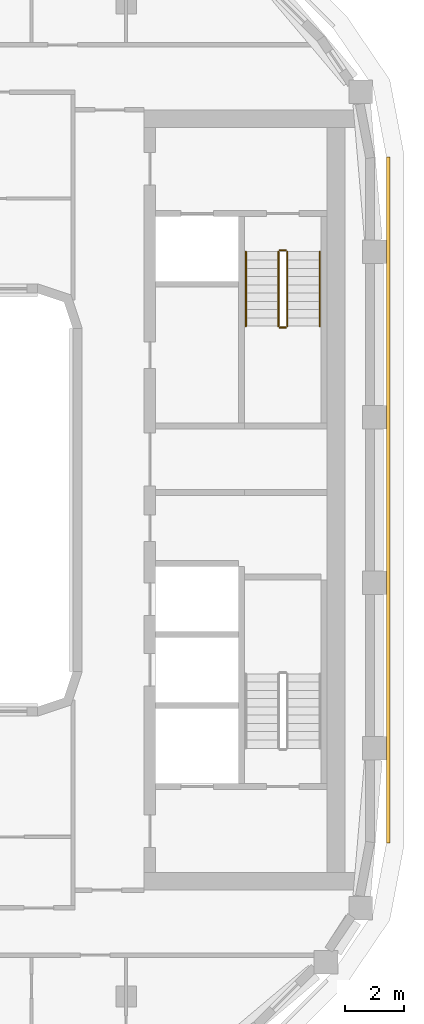
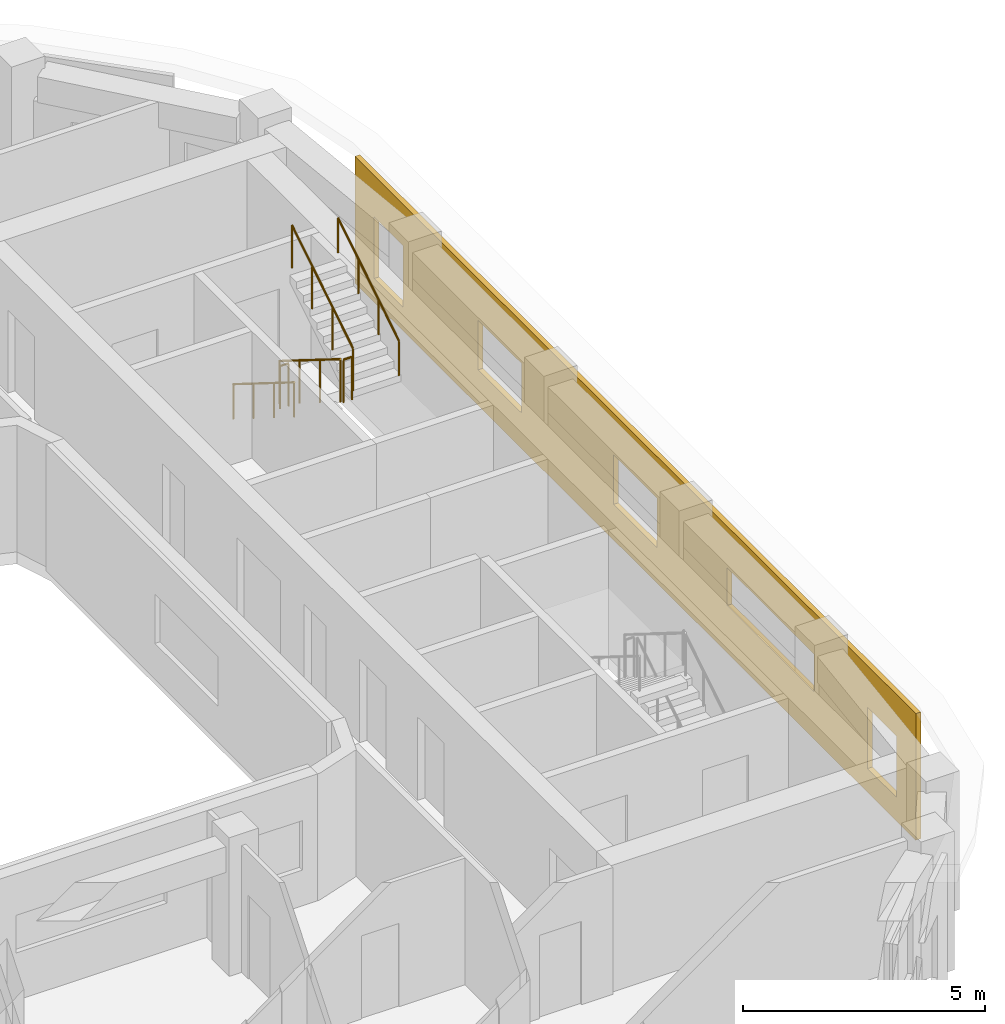
# One storey, part 15 of 16: 6 railings, 1 covering.
"""IFC4 building model written with IfcOpenShell, lengths in metres."""

from ifc_helpers import new_model, si_unit, direction, frame, origin, origin_2d, place, context, subcontext, project, spatial, polyline, circle, outline, extrude, material, layer, layer_set, type_object, element, save


model = new_model("IFC4")

# Units and contexts
model_context = context("Model", 3, precision=1e-05, world=origin(), true_north=direction((0.0, 1.0)))
body_context = subcontext(model_context, "Body", "Model", "MODEL_VIEW")
ifc_project = project(units=[si_unit("LENGTHUNIT", "METRE"), si_unit("AREAUNIT", "SQUARE_METRE"), si_unit("VOLUMEUNIT", "CUBIC_METRE"), si_unit("PLANEANGLEUNIT", "RADIAN"), si_unit("MASSUNIT", "GRAM", prefix="KILO")], contexts=[model_context])

# Site, building, storey
site_placement = place(None, origin())
site = spatial("IfcSite", under=ifc_project, at=site_placement, CompositionType="ELEMENT")
building_placement = place(site_placement, origin())
building = spatial("IfcBuilding", under=site, at=building_placement, Name="Kiln Ring Residences", CompositionType="ELEMENT")
storey_placement = place(building_placement, frame((0.0, 0.0, 259.199951171875)))
storey = spatial("IfcBuildingStorey", under=building, at=storey_placement, Name="L67", CompositionType="ELEMENT", Elevation=259.199951171875)

# Railings
ifc_material_1 = material(Name="Stainless steel", Category="steel")
railing_type_1 = type_object("IfcRailingType", Name="CORE-STAIR-GUARD", PredefinedType="GUARDRAIL", material=ifc_material_1)
railing_1_placement = place(storey_placement, frame((21.949951171875, 8.39990234375, 0.175048828125)))
element("IfcRailing", 1, at=railing_1_placement, inside=storey, type_object=railing_type_1, Name="L67 E-STN stair guard 1", PredefinedType="GUARDRAIL", context=body_context, shape_type="SweptSolid", body=[
    extrude(circle(Radius=0.02392578125, at=origin_2d()), frame((0.0, 0.0, 1.076171875), z_axis=(0.0, -0.848007534815, 0.529984170421), x_axis=(1.0, 0.0, 0.0)), (0.0, 0.0, 1.0), 2.9716796875),
    extrude(circle(Radius=0.02099609375, at=origin_2d()), origin(), (0.0, 0.0, 1.0), 1.052001953125),
    extrude(circle(Radius=0.02099609375, at=origin_2d()), frame((0.0, -0.840087890625, 0.52490234375)), (0.0, 0.0, 1.0), 1.052001953125),
    extrude(circle(Radius=0.02099609375, at=origin_2d()), frame((0.0, -1.679931640625, 1.050048828125)), (0.0, 0.0, 1.0), 1.052001953125),
    extrude(circle(Radius=0.02099609375, at=origin_2d()), frame((0.0, -2.52001953125, 1.574951171875)), (0.0, 0.0, 1.0), 1.052001953125),
])
railing_2_placement = place(storey_placement, frame((22.0, 5.830078125, 1.75)))
element("IfcRailing", 2, at=railing_2_placement, inside=storey, type_object=railing_type_1, Name="L67 E-STN stair guard 2", PredefinedType="GUARDRAIL", context=body_context, shape_type="SweptSolid", body=[
    extrude(circle(Radius=0.02392578125, at=origin_2d()), frame((0.0, 0.0, 1.076171875), z_axis=(1.0, 0.0, 0.0), x_axis=(0.0, 1.0, 0.0)), (0.0, 0.0, 1.0), 0.199951171875),
    extrude(circle(Radius=0.02099609375, at=origin_2d()), origin(), (0.0, 0.0, 1.0), 1.052001953125),
    extrude(circle(Radius=0.02099609375, at=origin_2d()), frame((0.199951171875, 0.0, 0.0)), (0.0, 0.0, 1.0), 1.052001953125),
])
railing_3_placement = place(storey_placement, frame((22.25, 5.8798828125, 1.925048828125)))
element("IfcRailing", 3, at=railing_3_placement, inside=storey, type_object=railing_type_1, Name="L67 E-STN stair guard 3", PredefinedType="GUARDRAIL", context=body_context, shape_type="SweptSolid", body=[
    extrude(circle(Radius=0.02392578125, at=origin_2d()), frame((0.0, 0.0, 1.076171875), z_axis=(0.0, 0.848007534815, 0.529984170421), x_axis=(-1.0, 0.0, 0.0)), (0.0, 0.0, 1.0), 2.9716796875),
    extrude(circle(Radius=0.02099609375, at=origin_2d()), origin(), (0.0, 0.0, 1.0), 1.052001953125),
    extrude(circle(Radius=0.02099609375, at=origin_2d()), frame((0.0, 0.840087890625, 0.52490234375)), (0.0, 0.0, 1.0), 1.052001953125),
    extrude(circle(Radius=0.02099609375, at=origin_2d()), frame((0.0, 1.679931640625, 1.050048828125)), (0.0, 0.0, 1.0), 1.052001953125),
    extrude(circle(Radius=0.02099609375, at=origin_2d()), frame((0.0, 2.52001953125, 1.574951171875)), (0.0, 0.0, 1.0), 1.052001953125),
])
railing_4_placement = place(storey_placement, frame((22.0, 8.449951171875, 0.0)))
element("IfcRailing", 4, at=railing_4_placement, inside=storey, type_object=railing_type_1, Name="L67 E-STN stair guard 4", PredefinedType="GUARDRAIL", context=body_context, shape_type="SweptSolid", body=[
    extrude(circle(Radius=0.02392578125, at=origin_2d()), frame((0.0, 0.0, 1.076171875), z_axis=(1.0, 0.0, 0.0), x_axis=(0.0, 1.0, 0.0)), (0.0, 0.0, 1.0), 0.199951171875),
    extrude(circle(Radius=0.02099609375, at=origin_2d()), origin(), (0.0, 0.0, 1.0), 1.052001953125),
    extrude(circle(Radius=0.02099609375, at=origin_2d()), frame((0.199951171875, 0.0, 0.0)), (0.0, 0.0, 1.0), 1.052001953125),
])
ifc_material_2 = material(Name="Stainless steel", Category="steel")
railing_type_2 = type_object("IfcRailingType", Name="CORE-STAIR-HANDRAIL", PredefinedType="HANDRAIL", material=ifc_material_2)
railing_5_placement = place(storey_placement, frame((20.85009765625, 8.39990234375, 0.175048828125)))
element("IfcRailing", 5, at=railing_5_placement, inside=storey, type_object=railing_type_2, Name="L67 E-STN stair handrail 1", PredefinedType="HANDRAIL", context=body_context, shape_type="SweptSolid", body=[
    extrude(circle(Radius=0.02392578125, at=origin_2d()), frame((0.0, 0.0, 0.8759765625), z_axis=(0.0, -0.848007534815, 0.529984170421), x_axis=(1.0, 0.0, 0.0)), (0.0, 0.0, 1.0), 2.9716796875),
    extrude(circle(Radius=0.02099609375, at=origin_2d()), origin(), (0.0, 0.0, 1.0), 0.851806640625),
    extrude(circle(Radius=0.02099609375, at=origin_2d()), frame((0.0, -0.840087890625, 0.52490234375)), (0.0, 0.0, 1.0), 0.851806640625),
    extrude(circle(Radius=0.02099609375, at=origin_2d()), frame((0.0, -1.679931640625, 1.050048828125)), (0.0, 0.0, 1.0), 0.851806640625),
    extrude(circle(Radius=0.02099609375, at=origin_2d()), frame((0.0, -2.52001953125, 1.574951171875)), (0.0, 0.0, 1.0), 0.851806640625),
])
railing_6_placement = place(storey_placement, frame((23.35009765625, 5.8798828125, 1.925048828125)))
element("IfcRailing", 6, at=railing_6_placement, inside=storey, type_object=railing_type_2, Name="L67 E-STN stair handrail 2", PredefinedType="HANDRAIL", context=body_context, shape_type="SweptSolid", body=[
    extrude(circle(Radius=0.02392578125, at=origin_2d()), frame((0.0, 0.0, 0.8759765625), z_axis=(0.0, 0.848007534815, 0.529984170421), x_axis=(-1.0, 0.0, 0.0)), (0.0, 0.0, 1.0), 2.9716796875),
    extrude(circle(Radius=0.02099609375, at=origin_2d()), origin(), (0.0, 0.0, 1.0), 0.851806640625),
    extrude(circle(Radius=0.02099609375, at=origin_2d()), frame((0.0, 0.840087890625, 0.52490234375)), (0.0, 0.0, 1.0), 0.851806640625),
    extrude(circle(Radius=0.02099609375, at=origin_2d()), frame((0.0, 1.679931640625, 1.050048828125)), (0.0, 0.0, 1.0), 0.851806640625),
    extrude(circle(Radius=0.02099609375, at=origin_2d()), frame((0.0, 2.52001953125, 1.574951171875)), (0.0, 0.0, 1.0), 0.851806640625),
])

# Covering
ifc_material_3 = material(Name="Brick masonry, dark clay brick", Category="masonry")
ifc_layer = layer(ifc_material_3, 0.1201171875)
ifc_layer_set = layer_set([ifc_layer], Name="RAINSCREEN PANEL 120")
covering_type = type_object("IfcCoveringType", Name="RAINSCREEN PANEL 120", PredefinedType="CLADDING", material=ifc_layer_set)
covering_placement = place(storey_placement, frame((25.659912109375, -11.60009765625, 0.0), z_axis=(0.0, 0.0, 1.0), x_axis=(0.0, 1.0, 0.0)))
element("IfcCovering", 7, at=covering_placement, inside=storey, type_object=covering_type, Name="RAINSCREEN L67", PredefinedType="CLADDING", context=body_context, shape_type="SweptSolid", body=[
    extrude(outline(polyline([(0.0, 0.0), (23.199951171875, 0.0), (23.199951171875, 3.199951171875), (0.0, 3.199951171875), (0.0, 0.0)]), holes=[polyline([(2.0, 0.60009765625), (2.0, 2.150146484375), (0.800048828125, 2.150146484375), (0.800048828125, 0.60009765625), (2.0, 0.60009765625)]), polyline([(22.39990234375, 0.60009765625), (22.39990234375, 2.150146484375), (21.199951171875, 2.150146484375), (21.199951171875, 0.60009765625), (22.39990234375, 0.60009765625)]), polyline([(12.5, 0.900146484375), (12.5, 2.150146484375), (10.699951171875, 2.150146484375), (10.699951171875, 0.900146484375), (12.5, 0.900146484375)]), polyline([(16.300048828125, 0.900146484375), (18.10009765625, 0.900146484375), (18.10009765625, 2.150146484375), (16.300048828125, 2.150146484375), (16.300048828125, 0.900146484375)]), polyline([(4.199951171875, 1.199951171875), (7.800048828125, 1.199951171875), (7.800048828125, 2.150146484375), (4.199951171875, 2.150146484375), (4.199951171875, 1.199951171875)])]), frame((0.0, 0.06005859375, 0.0), z_axis=(0.0, -1.0, 0.0), x_axis=(1.0, 0.0, 0.0)), (0.0, 0.0, 1.0), 0.1201171875),
])

save(model, "model.ifc")
